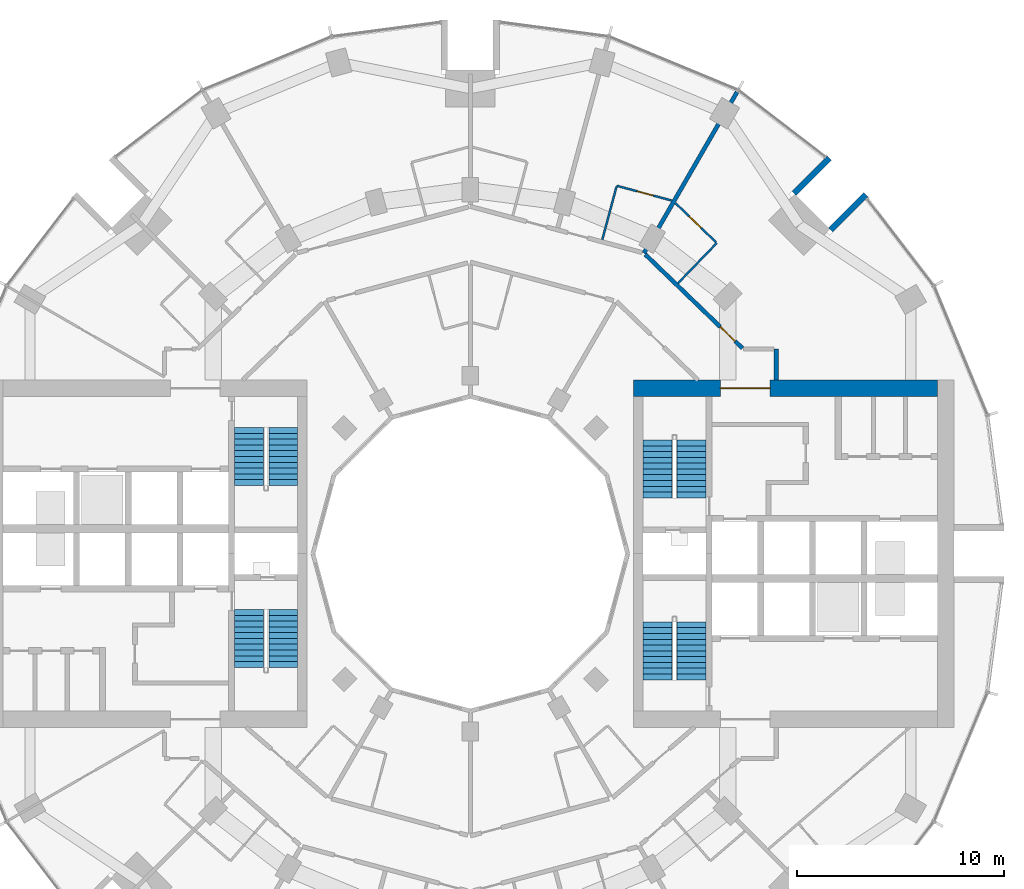
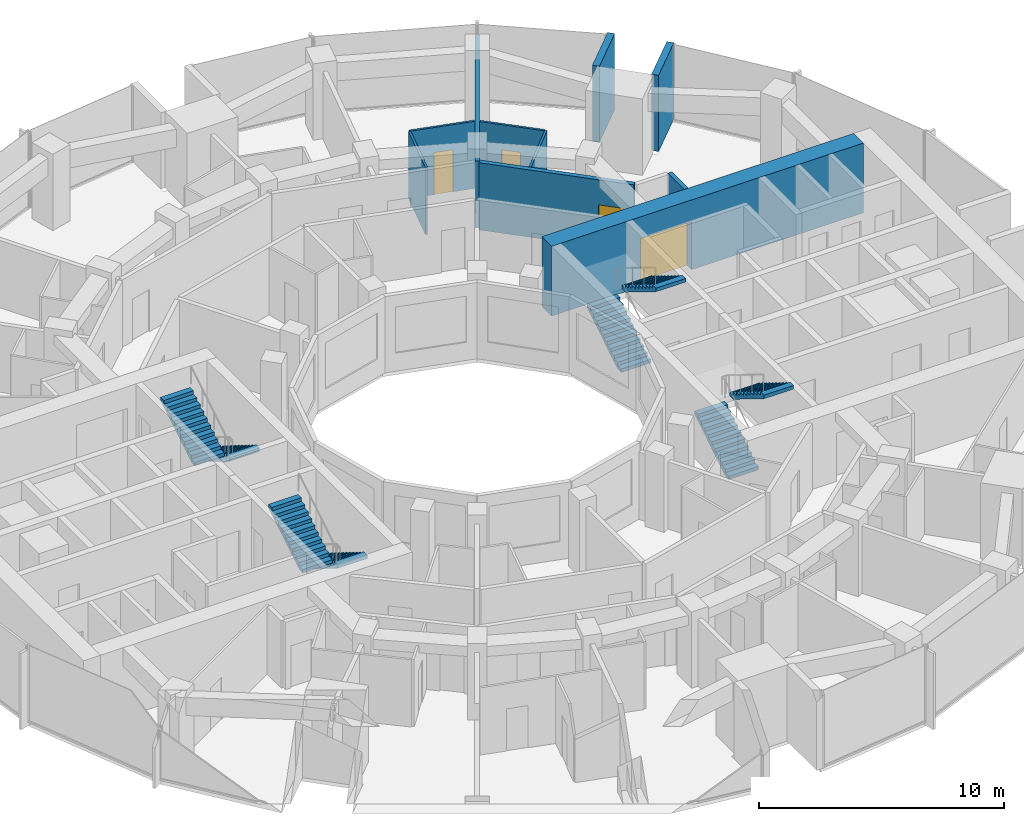
# One storey, part 13 of 15: 10 walls, 8 stair flights, 4 doors, 4 openings, 4 elements without a shape of their own.
"""IFC4 building model written with IfcOpenShell, lengths in metres."""

from ifc_helpers import new_model, si_unit, direction, frame, frame_2d, origin, place, context, subcontext, project, spatial, polyline, rectangle, outline, extrude, material, layer, layer_set, type_object, element, fill, aggregate, save


model = new_model("IFC4")

# Units and contexts
model_context = context("Model", 3, precision=1e-05, world=origin(), true_north=direction((0.0, 1.0)))
body_context = subcontext(model_context, "Body", "Model", "MODEL_VIEW")
ifc_project = project(units=[si_unit("LENGTHUNIT", "METRE"), si_unit("AREAUNIT", "SQUARE_METRE"), si_unit("VOLUMEUNIT", "CUBIC_METRE"), si_unit("PLANEANGLEUNIT", "RADIAN"), si_unit("MASSUNIT", "GRAM", prefix="KILO")], contexts=[model_context])

# Site, building, storey
site_placement = place(None, origin())
site = spatial("IfcSite", under=ifc_project, at=site_placement, CompositionType="ELEMENT")
building_placement = place(site_placement, origin())
building = spatial("IfcBuilding", under=site, at=building_placement, Name="Torre Brocal", CompositionType="ELEMENT")
storey_placement = place(building_placement, frame((0.0, 0.0, 59.199951171875)))
storey = spatial("IfcBuildingStorey", under=building, at=storey_placement, Name="L13", CompositionType="ELEMENT", Elevation=59.199951171875)

# Wall, opening, door
ifc_material_1 = material(Name="Concrete C80", Category="concrete")
ifc_layer_1 = layer(ifc_material_1, 0.800048828125)
ifc_layer_set_1 = layer_set([ifc_layer_1], Name="Concrete C80")
wall_type_1 = type_object("IfcWallType", Name="CORE WALL 800 C80", PredefinedType="SHEAR", material=ifc_layer_set_1)
wall_1_placement = place(storey_placement, frame((87.89990234375, 83.0, 0.0), z_axis=(0.0, 0.0, 1.0), x_axis=(1.0, 0.0, 0.0)))
wall_1 = element("IfcWall", 1, at=wall_1_placement, inside=storey, type_object=wall_type_1, Name="Wall CW800-80", PredefinedType="SHEAR", context=body_context, shape_type="SweptSolid", body=[
    extrude(rectangle(XDim=14.7001953125, YDim=0.800048828125, at=frame_2d((7.35009765625, 0.0))), origin(), (0.0, 0.0, 1.0), 3.47998046875),
])
opening_1_placement = place(wall_1_placement, frame((4.199951171875, 0.0, 0.0)))
opening_1 = element("IfcOpeningElement", 2, at=opening_1_placement, cuts=wall_1, Name="Opening E-D27", PredefinedType="OPENING", context=body_context, shape_type="SweptSolid", body=[
    extrude(rectangle(XDim=2.39990234375, YDim=2.39990234375, at=frame_2d((1.199951171875, 1.199951171875))), frame((0.0, 0.409912109375, 0.0), z_axis=(0.0, -1.0, 0.0), x_axis=(1.0, 0.0, 0.0)), (0.0, 0.0, 1.0), 0.820068359375),
])
ifc_material_2 = material(Name="Steel A653", Category="steel")
door_type_1 = type_object("IfcDoorType", Name="DOUBLE FIRE DOOR FD90 2400X2400", OperationType="DOUBLE_DOOR_SINGLE_SWING", PredefinedType="DOOR", material=ifc_material_2)
door_1_placement = place(opening_1_placement, frame((2.39990234375, 0.0, 0.0), z_axis=(0.0, 0.0, 1.0), x_axis=(-1.0, 0.0, 0.0)))
door_1 = element("IfcDoor", 3, at=door_1_placement, inside=storey, type_object=door_type_1, Name="Door E-D27", OperationType="DOUBLE_DOOR_SINGLE_SWING", OverallHeight=2.39990234375, OverallWidth=2.39990234375, PredefinedType="DOOR", context=body_context, shape_type="SweptSolid", body=[
    extrude(rectangle(XDim=2.39990234375, YDim=2.39990234375, at=frame_2d((1.199951171875, 1.199951171875))), frame((0.0, 0.02490234375, 0.0), z_axis=(0.0, -1.0, 0.0), x_axis=(1.0, 0.0, 0.0)), (0.0, 0.0, 1.0), 0.050048828125),
])
fill(opening_1, door_1)

# Walls
ifc_material_3 = material(Name="Concrete C80", Category="concrete")
ifc_layer_2 = layer(ifc_material_3, 0.300048828125)
ifc_layer_set_2 = layer_set([ifc_layer_2], Name="Concrete C80")
wall_type_2 = type_object("IfcWallType", Name="NOTCH RETURN WALL 300 C80", PredefinedType="NOTDEFINED", material=ifc_layer_set_2)
for number, where, z_axis, x_axis, name in (
    (4, (97.43017578125, 90.662353515625, 0.0), (0.0, 0.0, 1.0), (0.707106781187, 0.707106781187, 0.0), "NOTCH RETURN WALL"),
    (5, (95.662353515625, 92.43017578125, 0.0), (0.0, 0.0, 1.0), (0.707106781187, 0.707106781187, 0.0), "NOTCH RETURN WALL"),
):
    element("IfcWall", number, at=place(storey_placement, frame(where, z_axis=z_axis, x_axis=x_axis)), inside=storey, type_object=wall_type_2, Name=name, PredefinedType="NOTDEFINED", context=body_context, shape_type="SweptSolid", body=[
        extrude(rectangle(XDim=2.415771484375, YDim=0.300048828125, at=frame_2d((1.2080078125, 0.0))), origin(), (0.0, 0.0, 1.0), 3.800048828125),
    ])
ifc_material_4 = material(Name="Gypsum board", Category="Gypsum")
ifc_layer_3 = layer(ifc_material_4, 0.10009765625)
ifc_layer_set_3 = layer_set([ifc_layer_3], Name="Gypsum board")
wall_type_3 = type_object("IfcWallType", Name="PARTITION 100", PredefinedType="PARTITIONING", material=ifc_layer_set_3)
wall_2_placement = place(storey_placement, frame((86.3837890625, 90.189697265625, 0.0), z_axis=(0.0, 0.0, 1.0), x_axis=(0.258677737588, 0.965963678446, 0.0)))
element("IfcWall", 6, at=wall_2_placement, inside=storey, type_object=wall_type_3, Name="BATHROOM WALL", PredefinedType="PARTITIONING", context=body_context, shape_type="SweptSolid", body=[
    extrude(rectangle(XDim=2.649169921875, YDim=0.10009765625, at=frame_2d((1.32470703125, 0.0))), origin(), (0.0, 0.0, 1.0), 3.35009765625),
])

# Wall, opening, door
wall_3_placement = place(storey_placement, frame((87.081787109375, 92.796875, 0.0), z_axis=(0.0, 0.0, 1.0), x_axis=(0.965892621415, -0.258942935598, 0.0)))
wall_3 = element("IfcWall", 7, at=wall_3_placement, inside=storey, type_object=wall_type_3, Name="BATHROOM WALL", PredefinedType="PARTITIONING", context=body_context, shape_type="SweptSolid", body=[
    extrude(rectangle(XDim=2.753173828125, YDim=0.10009765625, at=frame_2d((1.37646484375, 0.0))), origin(), (0.0, 0.0, 1.0), 3.35009765625),
])
opening_2_placement = place(wall_3_placement, frame((1.03173828125, 0.0, 0.0)))
opening_2 = element("IfcOpeningElement", 8, at=opening_2_placement, cuts=wall_3, Name="Opening H03-D04", PredefinedType="OPENING", context=body_context, shape_type="SweptSolid", body=[
    extrude(rectangle(XDim=0.800048828125, YDim=2.10009765625, at=frame_2d((0.39990234375, 1.050048828125))), frame((0.0, 0.06005859375, 0.0), z_axis=(0.0, -1.0, 0.0), x_axis=(1.0, 0.0, 0.0)), (0.0, 0.0, 1.0), 0.1201171875),
])
ifc_material_5 = material(Name="Timber", Category="wood")
door_type_2 = type_object("IfcDoorType", Name="BATHROOM DOOR 800X2100", OperationType="SINGLE_SWING_LEFT", PredefinedType="DOOR", material=ifc_material_5)
door_2_placement = place(opening_2_placement, frame((0.800048828125, 0.0, 0.0), z_axis=(0.0, 0.0, 1.0), x_axis=(-1.0, 0.0, 0.0)))
door_2 = element("IfcDoor", 9, at=door_2_placement, inside=storey, type_object=door_type_2, Name="H03-D04", OperationType="SINGLE_SWING_LEFT", OverallHeight=2.10009765625, OverallWidth=0.800048828125, PredefinedType="DOOR", context=body_context, shape_type="SweptSolid", body=[
    extrude(rectangle(XDim=0.800048828125, YDim=2.10009765625, at=frame_2d((0.39990234375, 1.050048828125))), frame((0.0, 0.02490234375, 0.0), z_axis=(0.0, -1.0, 0.0), x_axis=(1.0, 0.0, 0.0)), (0.0, 0.0, 1.0), 0.050048828125),
])
fill(opening_2, door_2)

wall_4_placement = place(storey_placement, frame((89.9248046875, 91.956298828125, 0.0), z_axis=(0.0, 0.0, 1.0), x_axis=(0.719395291255, -0.694600903339, 0.0)))
wall_4 = element("IfcWall", 10, at=wall_4_placement, inside=storey, type_object=wall_type_3, Name="BATHROOM WALL", PredefinedType="PARTITIONING", context=body_context, shape_type="SweptSolid", body=[
    extrude(rectangle(XDim=2.7275390625, YDim=0.10009765625, at=frame_2d((1.36376953125, 0.0))), origin(), (0.0, 0.0, 1.0), 3.35009765625),
])
opening_3_placement = place(wall_4_placement, frame((0.928466796875, 0.0, 0.0)))
opening_3 = element("IfcOpeningElement", 11, at=opening_3_placement, cuts=wall_4, Name="Opening H03-D02", PredefinedType="OPENING", context=body_context, shape_type="SweptSolid", body=[
    extrude(rectangle(XDim=0.800048828125, YDim=2.10009765625, at=frame_2d((0.39990234375, 1.050048828125))), frame((0.0, 0.06005859375, 0.0), z_axis=(0.0, -1.0, 0.0), x_axis=(1.0, 0.0, 0.0)), (0.0, 0.0, 1.0), 0.1201171875),
])
door_3_placement = place(opening_3_placement, frame((0.800048828125, 0.0, 0.0), z_axis=(0.0, 0.0, 1.0), x_axis=(-1.0, 0.0, 0.0)))
door_3 = element("IfcDoor", 12, at=door_3_placement, inside=storey, type_object=door_type_2, Name="H03-D02", OperationType="SINGLE_SWING_RIGHT", OverallHeight=2.10009765625, OverallWidth=0.800048828125, PredefinedType="DOOR", context=body_context, shape_type="SweptSolid", body=[
    extrude(rectangle(XDim=0.800048828125, YDim=2.10009765625, at=frame_2d((0.39990234375, 1.050048828125))), frame((0.0, 0.02490234375, 0.0), z_axis=(0.0, -1.0, 0.0), x_axis=(1.0, 0.0, 0.0)), (0.0, 0.0, 1.0), 0.050048828125),
])
fill(opening_3, door_3)

# Wall
wall_5_placement = place(storey_placement, frame((90.047607421875, 88.0849609375, 0.0), z_axis=(0.0, 0.0, 1.0), x_axis=(0.694655834207, 0.71934224956, 0.0)))
element("IfcWall", 13, at=wall_5_placement, inside=storey, type_object=wall_type_3, Name="BATHROOM WALL", PredefinedType="PARTITIONING", context=body_context, shape_type="SweptSolid", body=[
    extrude(rectangle(XDim=2.699951171875, YDim=0.10009765625, at=frame_2d((1.35009765625, 0.0))), origin(), (0.0, 0.0, 1.0), 3.35009765625),
])

# Wall, opening, door
ifc_material_6 = material(Name="Gypsum board", Category="Gypsum")
ifc_layer_4 = layer(ifc_material_6, 0.199951171875)
ifc_layer_set_4 = layer_set([ifc_layer_4], Name="Gypsum board")
wall_type_4 = type_object("IfcWallType", Name="PARTITION 200 EI60", PredefinedType="PARTITIONING", material=ifc_layer_set_4)
wall_6_placement = place(storey_placement, frame((88.4658203125, 89.47314453125, 0.0), z_axis=(0.0, 0.0, 1.0), x_axis=(0.719346014649, -0.694651935295, 0.0)))
wall_6 = element("IfcWall", 14, at=wall_6_placement, inside=storey, type_object=wall_type_4, Name="GUESTROOM CORRIDOR WALL", PredefinedType="PARTITIONING", context=body_context, shape_type="SweptSolid", body=[
    extrude(rectangle(XDim=6.525146484375, YDim=0.199951171875, at=frame_2d((3.2626953125, 0.0))), origin(), (0.0, 0.0, 1.0), 3.35009765625),
])
opening_4_placement = place(wall_6_placement, frame((5.034423828125, 0.0, 0.0)))
opening_4 = element("IfcOpeningElement", 15, at=opening_4_placement, cuts=wall_6, Name="Opening H03-D01", PredefinedType="OPENING", context=body_context, shape_type="SweptSolid", body=[
    extrude(rectangle(XDim=1.0, YDim=2.10009765625, at=frame_2d((0.5, 1.050048828125))), frame((0.0, 0.10986328125, 0.0), z_axis=(0.0, -1.0, 0.0), x_axis=(1.0, 0.0, 0.0)), (0.0, 0.0, 1.0), 0.219970703125),
])
ifc_material_7 = material(Name="Timber", Category="wood")
door_type_3 = type_object("IfcDoorType", Name="FLAT ENTRY DOOR FD30S 1000X2100", OperationType="SINGLE_SWING_RIGHT", PredefinedType="DOOR", material=ifc_material_7)
door_4_placement = place(opening_4_placement, origin())
door_4 = element("IfcDoor", 16, at=door_4_placement, inside=storey, type_object=door_type_3, Name="H03-D01", OperationType="SINGLE_SWING_RIGHT", OverallHeight=2.10009765625, OverallWidth=1.0, PredefinedType="DOOR", context=body_context, shape_type="SweptSolid", body=[
    extrude(rectangle(XDim=1.0, YDim=2.10009765625, at=frame_2d((0.5, 1.050048828125))), frame((0.0, 0.02490234375, 0.0), z_axis=(0.0, -1.0, 0.0), x_axis=(1.0, 0.0, 0.0)), (0.0, 0.0, 1.0), 0.050048828125),
])
fill(opening_4, door_4)

# Walls
wall_7_placement = place(storey_placement, frame((88.3994140625, 89.538330078125, 0.0), z_axis=(0.0, 0.0, 1.0), x_axis=(0.500249596464, 0.865881251233, 0.0)))
element("IfcWall", 17, at=wall_7_placement, inside=storey, type_object=wall_type_4, Name="BATHROOM WALL", PredefinedType="PARTITIONING", context=body_context, shape_type="SweptSolid", body=[
    extrude(rectangle(XDim=9.00634765625, YDim=0.199951171875, at=frame_2d((4.503173828125, 0.0))), origin(), (0.0, 0.0, 1.0), 3.35009765625),
])
wall_8_placement = place(storey_placement, frame((94.800048828125, 83.40087890625, 0.0), z_axis=(0.0, 0.0, 1.0), x_axis=(0.0, 1.0, 0.0)))
element("IfcWall", 18, at=wall_8_placement, inside=storey, type_object=wall_type_4, Name="GUESTROOM CORRIDOR WALL", PredefinedType="PARTITIONING", context=body_context, shape_type="SweptSolid", body=[
    extrude(rectangle(XDim=1.4990234375, YDim=0.199951171875, at=frame_2d((0.74951171875, 0.0))), origin(), (0.0, 0.0, 1.0), 3.35009765625),
])

# Stair, stair flights
ifc_material_8 = material(Name="Concrete C50", Category="concrete")
stair_type = type_object("IfcStairType", Name="EXIT STAIR", PredefinedType="HALF_TURN_STAIR", material=ifc_material_8)
stair_1_placement = place(storey_placement, origin())
stair_1 = element("IfcStair", 19, at=stair_1_placement, inside=storey, type_object=stair_type, Name="EXIT STAIR ST1", PredefinedType="HALF_TURN_STAIR")
ifc_material_9 = material(Name="Concrete C50", Category="concrete")
ifc_layer_5 = layer(ifc_material_9, 0.14990234375)
ifc_layer_set_5 = layer_set([ifc_layer_5], Name="Concrete C50")
stair_flight_type = type_object("IfcStairFlightType", Name="STAIR FLIGHT", PredefinedType="STRAIGHT", material=ifc_layer_set_5)
stair_flight_1_placement = place(storey_placement, frame((89.050048828125, 77.699951171875, 0.0), z_axis=(0.0, 0.0, 1.0), x_axis=(0.0, 1.0, 0.0)))
stair_flight_1 = element("IfcStairFlight", 20, at=stair_flight_1_placement, type_object=stair_flight_type, Name="ST1 flight 1", NumberOfRisers=11, NumberOfTreads=10, PredefinedType="STRAIGHT", RiserHeight=0.172727273, TreadLength=0.28, context=body_context, shape_type="SweptSolid", body=[
    extrude(outline(polyline([(0.0, 0.0), (0.0, 0.172607421875), (0.280029296875, 0.172607421875), (0.280029296875, 0.345458984375), (0.56005859375, 0.345458984375), (0.56005859375, 0.51806640625), (0.840087890625, 0.51806640625), (0.840087890625, 0.69091796875), (1.1201171875, 0.69091796875), (1.1201171875, 0.863525390625), (1.39990234375, 0.863525390625), (1.39990234375, 1.036376953125), (1.679931640625, 1.036376953125), (1.679931640625, 1.208984375), (1.9599609375, 1.208984375), (1.9599609375, 1.3818359375), (2.239990234375, 1.3818359375), (2.239990234375, 1.554443359375), (2.52001953125, 1.554443359375), (2.52001953125, 1.727294921875), (2.800048828125, 1.727294921875), (2.800048828125, 1.89990234375), (2.800048828125, 1.551025390625), (0.285400390625, 0.0), (0.0, 0.0)])), frame((0.0, 0.699951171875, 0.0), z_axis=(0.0, -1.0, 0.0), x_axis=(1.0, 0.0, 0.0)), (0.0, 0.0, 1.0), 1.39990234375),
])
stair_flight_2_placement = place(storey_placement, frame((90.699951171875, 80.5, 1.900146484375), z_axis=(0.0, 0.0, 1.0), x_axis=(0.0, -1.0, 0.0)))
stair_flight_2 = element("IfcStairFlight", 21, at=stair_flight_2_placement, type_object=stair_flight_type, Name="ST1 flight 2", NumberOfRisers=11, NumberOfTreads=10, PredefinedType="STRAIGHT", RiserHeight=0.172727273, TreadLength=0.28, context=body_context, shape_type="SweptSolid", body=[
    extrude(outline(polyline([(0.0, 0.0), (0.0, 0.172607421875), (0.280029296875, 0.172607421875), (0.280029296875, 0.345458984375), (0.56005859375, 0.345458984375), (0.56005859375, 0.51806640625), (0.840087890625, 0.51806640625), (0.840087890625, 0.69091796875), (1.1201171875, 0.69091796875), (1.1201171875, 0.863525390625), (1.39990234375, 0.863525390625), (1.39990234375, 1.036376953125), (1.679931640625, 1.036376953125), (1.679931640625, 1.208984375), (1.9599609375, 1.208984375), (1.9599609375, 1.3818359375), (2.239990234375, 1.3818359375), (2.239990234375, 1.554443359375), (2.52001953125, 1.554443359375), (2.52001953125, 1.727294921875), (2.800048828125, 1.727294921875), (2.800048828125, 1.89990234375), (2.800048828125, 1.551025390625), (0.285400390625, 0.0), (0.0, 0.0)])), frame((0.0, 0.699951171875, 0.0), z_axis=(0.0, -1.0, 0.0), x_axis=(1.0, 0.0, 0.0)), (0.0, 0.0, 1.0), 1.39990234375),
])
aggregate(stair_1, [stair_flight_1, stair_flight_2])

stair_2_placement = place(storey_placement, origin())
stair_2 = element("IfcStair", 22, at=stair_2_placement, inside=storey, type_object=stair_type, Name="EXIT STAIR ST2", PredefinedType="HALF_TURN_STAIR")
stair_flight_3_placement = place(storey_placement, frame((89.050048828125, 68.89990234375, 0.0), z_axis=(0.0, 0.0, 1.0), x_axis=(0.0, 1.0, 0.0)))
stair_flight_3 = element("IfcStairFlight", 23, at=stair_flight_3_placement, type_object=stair_flight_type, Name="ST2 flight 1", NumberOfRisers=11, NumberOfTreads=10, PredefinedType="STRAIGHT", RiserHeight=0.172727273, TreadLength=0.28, context=body_context, shape_type="SweptSolid", body=[
    extrude(outline(polyline([(0.0, 0.0), (0.0, 0.172607421875), (0.280029296875, 0.172607421875), (0.280029296875, 0.345458984375), (0.56005859375, 0.345458984375), (0.56005859375, 0.51806640625), (0.840087890625, 0.51806640625), (0.840087890625, 0.69091796875), (1.1201171875, 0.69091796875), (1.1201171875, 0.863525390625), (1.39990234375, 0.863525390625), (1.39990234375, 1.036376953125), (1.679931640625, 1.036376953125), (1.679931640625, 1.208984375), (1.9599609375, 1.208984375), (1.9599609375, 1.3818359375), (2.239990234375, 1.3818359375), (2.239990234375, 1.554443359375), (2.52001953125, 1.554443359375), (2.52001953125, 1.727294921875), (2.800048828125, 1.727294921875), (2.800048828125, 1.89990234375), (2.800048828125, 1.551025390625), (0.285400390625, 0.0), (0.0, 0.0)])), frame((0.0, 0.699951171875, 0.0), z_axis=(0.0, -1.0, 0.0), x_axis=(1.0, 0.0, 0.0)), (0.0, 0.0, 1.0), 1.39990234375),
])
stair_flight_4_placement = place(storey_placement, frame((90.699951171875, 71.699951171875, 1.900146484375), z_axis=(0.0, 0.0, 1.0), x_axis=(0.0, -1.0, 0.0)))
stair_flight_4 = element("IfcStairFlight", 24, at=stair_flight_4_placement, type_object=stair_flight_type, Name="ST2 flight 2", NumberOfRisers=11, NumberOfTreads=10, PredefinedType="STRAIGHT", RiserHeight=0.172727273, TreadLength=0.28, context=body_context, shape_type="SweptSolid", body=[
    extrude(outline(polyline([(0.0, 0.0), (0.0, 0.172607421875), (0.280029296875, 0.172607421875), (0.280029296875, 0.345458984375), (0.56005859375, 0.345458984375), (0.56005859375, 0.51806640625), (0.840087890625, 0.51806640625), (0.840087890625, 0.69091796875), (1.1201171875, 0.69091796875), (1.1201171875, 0.863525390625), (1.39990234375, 0.863525390625), (1.39990234375, 1.036376953125), (1.679931640625, 1.036376953125), (1.679931640625, 1.208984375), (1.9599609375, 1.208984375), (1.9599609375, 1.3818359375), (2.239990234375, 1.3818359375), (2.239990234375, 1.554443359375), (2.52001953125, 1.554443359375), (2.52001953125, 1.727294921875), (2.800048828125, 1.727294921875), (2.800048828125, 1.89990234375), (2.800048828125, 1.551025390625), (0.285400390625, 0.0), (0.0, 0.0)])), frame((0.0, 0.699951171875, 0.0), z_axis=(0.0, -1.0, 0.0), x_axis=(1.0, 0.0, 0.0)), (0.0, 0.0, 1.0), 1.39990234375),
])
aggregate(stair_2, [stair_flight_3, stair_flight_4])

stair_3_placement = place(storey_placement, origin())
stair_3 = element("IfcStair", 25, at=stair_3_placement, inside=storey, type_object=stair_type, Name="EXIT STAIR ST3", PredefinedType="HALF_TURN_STAIR")
stair_flight_5_placement = place(storey_placement, frame((70.949951171875, 72.300048828125, 0.0), z_axis=(0.0, 0.0, 1.0), x_axis=(0.0, -1.0, 0.0)))
stair_flight_5 = element("IfcStairFlight", 26, at=stair_flight_5_placement, type_object=stair_flight_type, Name="ST3 flight 1", NumberOfRisers=11, NumberOfTreads=10, PredefinedType="STRAIGHT", RiserHeight=0.172727273, TreadLength=0.28, context=body_context, shape_type="SweptSolid", body=[
    extrude(outline(polyline([(0.0, 0.0), (0.0, 0.172607421875), (0.280029296875, 0.172607421875), (0.280029296875, 0.345458984375), (0.56005859375, 0.345458984375), (0.56005859375, 0.51806640625), (0.840087890625, 0.51806640625), (0.840087890625, 0.69091796875), (1.1201171875, 0.69091796875), (1.1201171875, 0.863525390625), (1.39990234375, 0.863525390625), (1.39990234375, 1.036376953125), (1.679931640625, 1.036376953125), (1.679931640625, 1.208984375), (1.9599609375, 1.208984375), (1.9599609375, 1.3818359375), (2.239990234375, 1.3818359375), (2.239990234375, 1.554443359375), (2.52001953125, 1.554443359375), (2.52001953125, 1.727294921875), (2.800048828125, 1.727294921875), (2.800048828125, 1.89990234375), (2.800048828125, 1.551025390625), (0.285400390625, 0.0), (0.0, 0.0)])), frame((0.0, 0.699951171875, 0.0), z_axis=(0.0, -1.0, 0.0), x_axis=(1.0, 0.0, 0.0)), (0.0, 0.0, 1.0), 1.39990234375),
])
stair_flight_6_placement = place(storey_placement, frame((69.300048828125, 69.5, 1.900146484375), z_axis=(0.0, 0.0, 1.0), x_axis=(0.0, 1.0, 0.0)))
stair_flight_6 = element("IfcStairFlight", 27, at=stair_flight_6_placement, type_object=stair_flight_type, Name="ST3 flight 2", NumberOfRisers=11, NumberOfTreads=10, PredefinedType="STRAIGHT", RiserHeight=0.172727273, TreadLength=0.28, context=body_context, shape_type="SweptSolid", body=[
    extrude(outline(polyline([(0.0, 0.0), (0.0, 0.172607421875), (0.280029296875, 0.172607421875), (0.280029296875, 0.345458984375), (0.56005859375, 0.345458984375), (0.56005859375, 0.51806640625), (0.840087890625, 0.51806640625), (0.840087890625, 0.69091796875), (1.1201171875, 0.69091796875), (1.1201171875, 0.863525390625), (1.39990234375, 0.863525390625), (1.39990234375, 1.036376953125), (1.679931640625, 1.036376953125), (1.679931640625, 1.208984375), (1.9599609375, 1.208984375), (1.9599609375, 1.3818359375), (2.239990234375, 1.3818359375), (2.239990234375, 1.554443359375), (2.52001953125, 1.554443359375), (2.52001953125, 1.727294921875), (2.800048828125, 1.727294921875), (2.800048828125, 1.89990234375), (2.800048828125, 1.551025390625), (0.285400390625, 0.0), (0.0, 0.0)])), frame((0.0, 0.699951171875, 0.0), z_axis=(0.0, -1.0, 0.0), x_axis=(1.0, 0.0, 0.0)), (0.0, 0.0, 1.0), 1.39990234375),
])
aggregate(stair_3, [stair_flight_5, stair_flight_6])

stair_4_placement = place(storey_placement, origin())
stair_4 = element("IfcStair", 28, at=stair_4_placement, inside=storey, type_object=stair_type, Name="EXIT STAIR ST4", PredefinedType="HALF_TURN_STAIR")
stair_flight_7_placement = place(storey_placement, frame((70.949951171875, 81.10009765625, 0.0), z_axis=(0.0, 0.0, 1.0), x_axis=(0.0, -1.0, 0.0)))
stair_flight_7 = element("IfcStairFlight", 29, at=stair_flight_7_placement, type_object=stair_flight_type, Name="ST4 flight 1", NumberOfRisers=11, NumberOfTreads=10, PredefinedType="STRAIGHT", RiserHeight=0.172727273, TreadLength=0.28, context=body_context, shape_type="SweptSolid", body=[
    extrude(outline(polyline([(0.0, 0.0), (0.0, 0.172607421875), (0.280029296875, 0.172607421875), (0.280029296875, 0.345458984375), (0.56005859375, 0.345458984375), (0.56005859375, 0.51806640625), (0.840087890625, 0.51806640625), (0.840087890625, 0.69091796875), (1.1201171875, 0.69091796875), (1.1201171875, 0.863525390625), (1.39990234375, 0.863525390625), (1.39990234375, 1.036376953125), (1.679931640625, 1.036376953125), (1.679931640625, 1.208984375), (1.9599609375, 1.208984375), (1.9599609375, 1.3818359375), (2.239990234375, 1.3818359375), (2.239990234375, 1.554443359375), (2.52001953125, 1.554443359375), (2.52001953125, 1.727294921875), (2.800048828125, 1.727294921875), (2.800048828125, 1.89990234375), (2.800048828125, 1.551025390625), (0.285400390625, 0.0), (0.0, 0.0)])), frame((0.0, 0.699951171875, 0.0), z_axis=(0.0, -1.0, 0.0), x_axis=(1.0, 0.0, 0.0)), (0.0, 0.0, 1.0), 1.39990234375),
])
stair_flight_8_placement = place(storey_placement, frame((69.300048828125, 78.300048828125, 1.900146484375), z_axis=(0.0, 0.0, 1.0), x_axis=(0.0, 1.0, 0.0)))
stair_flight_8 = element("IfcStairFlight", 30, at=stair_flight_8_placement, type_object=stair_flight_type, Name="ST4 flight 2", NumberOfRisers=11, NumberOfTreads=10, PredefinedType="STRAIGHT", RiserHeight=0.172727273, TreadLength=0.28, context=body_context, shape_type="SweptSolid", body=[
    extrude(outline(polyline([(0.0, 0.0), (0.0, 0.172607421875), (0.280029296875, 0.172607421875), (0.280029296875, 0.345458984375), (0.56005859375, 0.345458984375), (0.56005859375, 0.51806640625), (0.840087890625, 0.51806640625), (0.840087890625, 0.69091796875), (1.1201171875, 0.69091796875), (1.1201171875, 0.863525390625), (1.39990234375, 0.863525390625), (1.39990234375, 1.036376953125), (1.679931640625, 1.036376953125), (1.679931640625, 1.208984375), (1.9599609375, 1.208984375), (1.9599609375, 1.3818359375), (2.239990234375, 1.3818359375), (2.239990234375, 1.554443359375), (2.52001953125, 1.554443359375), (2.52001953125, 1.727294921875), (2.800048828125, 1.727294921875), (2.800048828125, 1.89990234375), (2.800048828125, 1.551025390625), (0.285400390625, 0.0), (0.0, 0.0)])), frame((0.0, 0.699951171875, 0.0), z_axis=(0.0, -1.0, 0.0), x_axis=(1.0, 0.0, 0.0)), (0.0, 0.0, 1.0), 1.39990234375),
])
aggregate(stair_4, [stair_flight_7, stair_flight_8])

save(model, "model.ifc")
